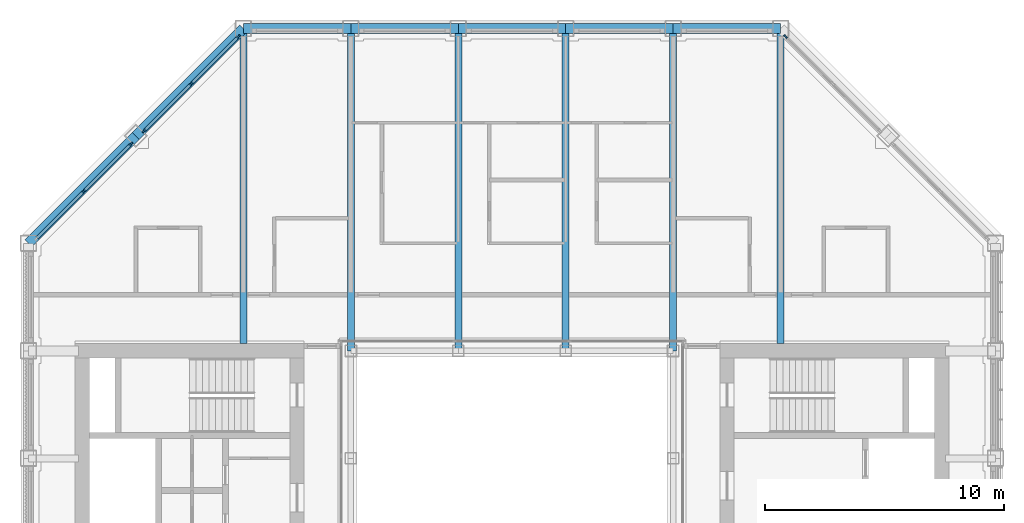
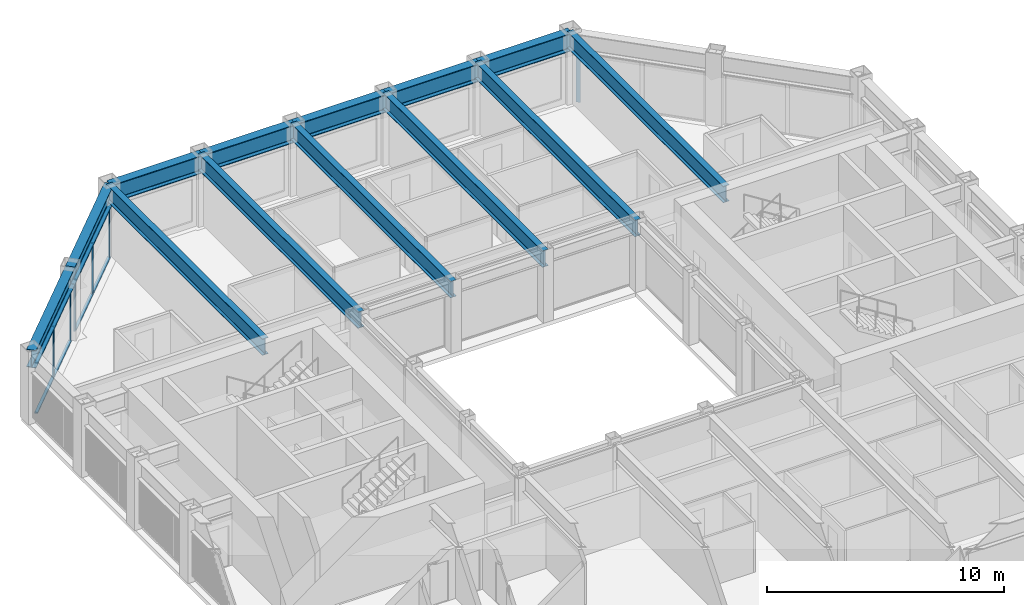
# One storey, part 6 of 17: 14 members, 13 beams, 3 elements without a shape of their own.
"""IFC4 building model written with IfcOpenShell, lengths in metres."""

from ifc_helpers import new_model, si_unit, direction, frame, origin, origin_2d, place, context, subcontext, project, spatial, rectangle, i_section, extrude, material, material_profile, profile_set, type_object, element, aggregate, save


model = new_model("IFC4")

# Units and contexts
model_context = context("Model", 3, precision=1e-05, world=origin(), true_north=direction((0.0, 1.0)))
body_context = subcontext(model_context, "Body", "Model", "MODEL_VIEW")
ifc_project = project(units=[si_unit("LENGTHUNIT", "METRE"), si_unit("AREAUNIT", "SQUARE_METRE"), si_unit("VOLUMEUNIT", "CUBIC_METRE"), si_unit("PLANEANGLEUNIT", "RADIAN"), si_unit("MASSUNIT", "GRAM", prefix="KILO")], contexts=[model_context])

# Site, building, storey
site_placement = place(None, origin())
site = spatial("IfcSite", under=ifc_project, at=site_placement, CompositionType="ELEMENT")
building_placement = place(site_placement, origin())
building = spatial("IfcBuilding", under=site, at=building_placement, Name="Msasa Ring Tower", CompositionType="ELEMENT")
storey_placement = place(building_placement, frame((0.0, 0.0, 242.050048828125)))
storey = spatial("IfcBuildingStorey", under=building, at=storey_placement, Name="L63", CompositionType="ELEMENT", Elevation=242.050048828125)

# Curtain wall, member
ifc_material_1 = material(Name="Aluminium curtain wall with clear glass", Category="aluminium")
curtain_wall_type = type_object("IfcCurtainWallType", Name="CW-C CHAMFER CORNER CURTAIN WALL", PredefinedType="NOTDEFINED", material=ifc_material_1)
curtain_wall_1_placement = place(storey_placement, origin())
curtain_wall_1 = element("IfcCurtainWall", 1, at=curtain_wall_1_placement, inside=storey, type_object=curtain_wall_type, Name="Chamfer corner curtain wall NE L63", PredefinedType="NOTDEFINED")
ifc_material_2 = material(Name="Aluminium mullion", Category="aluminium")
ifc_material_profile_1 = material_profile(ifc_material_2, rectangle(XDim=0.06494140625, YDim=0.179931640625, at=origin_2d()), Name="AL 65x180")
ifc_profile_set_1 = profile_set([ifc_material_profile_1], Name="Aluminium mullion")
member_type_1 = type_object("IfcMemberType", Name="CW-C MULLION 65x180", PredefinedType="MULLION", material=ifc_profile_set_1)
member_1_placement = place(storey_placement, frame((11.453369140625, 19.9052734375, 0.0), z_axis=(0.0, 0.0, 1.0), x_axis=(-0.707106781187, -0.707106781187, 0.0)))
member_1 = element("IfcMember", 2, at=member_1_placement, type_object=member_type_1, Name="CW-C mullion 3", PredefinedType="MULLION", context=body_context, shape_type="SweptSolid", body=[
    extrude(rectangle(XDim=0.06494140625, YDim=0.179931640625, at=origin_2d()), origin(), (0.0, 0.0, 1.0), 2.62890625),
])
aggregate(curtain_wall_1, [member_1])

# Curtain wall, members
curtain_wall_2_placement = place(storey_placement, origin())
curtain_wall_2 = element("IfcCurtainWall", 3, at=curtain_wall_2_placement, inside=storey, type_object=curtain_wall_type, Name="Chamfer corner curtain wall NW L63", PredefinedType="NOTDEFINED")
member_2_placement = place(storey_placement, frame((-15.953369140625, 15.4052734375, 0.0), z_axis=(0.0, 0.0, 1.0), x_axis=(0.707106781187, -0.707106781187, 0.0)))
member_2 = element("IfcMember", 4, at=member_2_placement, type_object=member_type_1, Name="CW-C mullion 1", PredefinedType="MULLION", context=body_context, shape_type="SweptSolid", body=[
    extrude(rectangle(XDim=0.06494140625, YDim=0.179931640625, at=origin_2d()), origin(), (0.0, 0.0, 1.0), 2.62890625),
])
member_3_placement = place(storey_placement, frame((-17.92919921875, 13.42919921875, 0.0), z_axis=(0.0, 0.0, 1.0), x_axis=(0.707106781187, -0.707106781187, 0.0)))
member_3 = element("IfcMember", 5, at=member_3_placement, type_object=member_type_1, Name="CW-C mullion 2", PredefinedType="MULLION", context=body_context, shape_type="SweptSolid", body=[
    extrude(rectangle(XDim=0.06494140625, YDim=0.179931640625, at=origin_2d()), origin(), (0.0, 0.0, 1.0), 2.62890625),
])

curtain_wall_3_placement = place(storey_placement, origin())
curtain_wall_3 = element("IfcCurtainWall", 6, at=curtain_wall_3_placement, inside=storey, type_object=curtain_wall_type, Name="Chamfer corner curtain wall NW L63", PredefinedType="NOTDEFINED")
member_4_placement = place(storey_placement, frame((-11.453369140625, 19.9052734375, 0.0), z_axis=(0.0, 0.0, 1.0), x_axis=(0.707106781187, -0.707106781187, 0.0)))
member_4 = element("IfcMember", 7, at=member_4_placement, type_object=member_type_1, Name="CW-C mullion 1", PredefinedType="MULLION", context=body_context, shape_type="SweptSolid", body=[
    extrude(rectangle(XDim=0.06494140625, YDim=0.179931640625, at=origin_2d()), origin(), (0.0, 0.0, 1.0), 2.62890625),
])
member_5_placement = place(storey_placement, frame((-13.42919921875, 17.92919921875, 0.0), z_axis=(0.0, 0.0, 1.0), x_axis=(0.707106781187, -0.707106781187, 0.0)))
member_5 = element("IfcMember", 8, at=member_5_placement, type_object=member_type_1, Name="CW-C mullion 2", PredefinedType="MULLION", context=body_context, shape_type="SweptSolid", body=[
    extrude(rectangle(XDim=0.06494140625, YDim=0.179931640625, at=origin_2d()), origin(), (0.0, 0.0, 1.0), 2.62890625),
])
member_6_placement = place(storey_placement, frame((-15.4052734375, 15.953369140625, 0.0), z_axis=(0.0, 0.0, 1.0), x_axis=(0.707106781187, -0.707106781187, 0.0)))
member_6 = element("IfcMember", 9, at=member_6_placement, type_object=member_type_1, Name="CW-C mullion 3", PredefinedType="MULLION", context=body_context, shape_type="SweptSolid", body=[
    extrude(rectangle(XDim=0.06494140625, YDim=0.179931640625, at=origin_2d()), origin(), (0.0, 0.0, 1.0), 2.62890625),
])

# Member
ifc_material_3 = material(Name="Aluminium transom", Category="aluminium")
ifc_material_profile_2 = material_profile(ifc_material_3, rectangle(XDim=0.139892578125, YDim=0.06494140625, at=origin_2d()), Name="AL 65x140")
ifc_profile_set_2 = profile_set([ifc_material_profile_2], Name="Aluminium transom")
member_type_2 = type_object("IfcMemberType", Name="CW-C TRANSOM 65x140", PredefinedType="USERDEFINED", material=ifc_profile_set_2)
member_7_placement = place(storey_placement, frame((-15.976318359375, 15.38232421875, 0.032470703125), z_axis=(-0.707106781187, -0.707106781187, 0.0), x_axis=(0.707106781187, -0.707106781187, 0.0)))
member_7 = element("IfcMember", 10, at=member_7_placement, type_object=member_type_2, Name="CW-C transom 1.1", ObjectType="TRANSOM", PredefinedType="USERDEFINED", context=body_context, shape_type="SweptSolid", body=[
    extrude(rectangle(XDim=0.139892578125, YDim=0.06494140625, at=origin_2d()), origin(), (0.0, 0.0, 1.0), 2.729248046875),
])

member_8_placement = place(storey_placement, frame((-15.976318359375, 15.38232421875, 2.596435546875), z_axis=(-0.707106781187, -0.707106781187, 0.0), x_axis=(0.707106781187, -0.707106781187, 0.0)))
member_8 = element("IfcMember", 11, at=member_8_placement, type_object=member_type_2, Name="CW-C transom 1.2", ObjectType="TRANSOM", PredefinedType="USERDEFINED", context=body_context, shape_type="SweptSolid", body=[
    extrude(rectangle(XDim=0.139892578125, YDim=0.06494140625, at=origin_2d()), origin(), (0.0, 0.0, 1.0), 2.729248046875),
])

member_9_placement = place(storey_placement, frame((-17.952392578125, 13.40625, 0.032470703125), z_axis=(-0.707106781187, -0.707106781187, 0.0), x_axis=(0.707106781187, -0.707106781187, 0.0)))
member_9 = element("IfcMember", 12, at=member_9_placement, type_object=member_type_2, Name="CW-C transom 2.1", ObjectType="TRANSOM", PredefinedType="USERDEFINED", context=body_context, shape_type="SweptSolid", body=[
    extrude(rectangle(XDim=0.139892578125, YDim=0.06494140625, at=origin_2d()), origin(), (0.0, 0.0, 1.0), 2.729248046875),
])

member_10_placement = place(storey_placement, frame((-17.952392578125, 13.40625, 2.596435546875), z_axis=(-0.707106781187, -0.707106781187, 0.0), x_axis=(0.707106781187, -0.707106781187, 0.0)))
member_10 = element("IfcMember", 13, at=member_10_placement, type_object=member_type_2, Name="CW-C transom 2.2", ObjectType="TRANSOM", PredefinedType="USERDEFINED", context=body_context, shape_type="SweptSolid", body=[
    extrude(rectangle(XDim=0.139892578125, YDim=0.06494140625, at=origin_2d()), origin(), (0.0, 0.0, 1.0), 2.729248046875),
])

aggregate(curtain_wall_2, [member_2, member_3, member_7, member_8, member_9, member_10])

member_11_placement = place(storey_placement, frame((-11.476318359375, 19.88232421875, 0.032470703125), z_axis=(-0.707106781187, -0.707106781187, 0.0), x_axis=(0.707106781187, -0.707106781187, 0.0)))
member_11 = element("IfcMember", 14, at=member_11_placement, type_object=member_type_2, Name="CW-C transom 1.1", ObjectType="TRANSOM", PredefinedType="USERDEFINED", context=body_context, shape_type="SweptSolid", body=[
    extrude(rectangle(XDim=0.139892578125, YDim=0.06494140625, at=origin_2d()), origin(), (0.0, 0.0, 1.0), 2.729248046875),
])

member_12_placement = place(storey_placement, frame((-11.476318359375, 19.88232421875, 2.596435546875), z_axis=(-0.707106781187, -0.707106781187, 0.0), x_axis=(0.707106781187, -0.707106781187, 0.0)))
member_12 = element("IfcMember", 15, at=member_12_placement, type_object=member_type_2, Name="CW-C transom 1.2", ObjectType="TRANSOM", PredefinedType="USERDEFINED", context=body_context, shape_type="SweptSolid", body=[
    extrude(rectangle(XDim=0.139892578125, YDim=0.06494140625, at=origin_2d()), origin(), (0.0, 0.0, 1.0), 2.729248046875),
])

member_13_placement = place(storey_placement, frame((-13.452392578125, 17.90625, 0.032470703125), z_axis=(-0.707106781187, -0.707106781187, 0.0), x_axis=(0.707106781187, -0.707106781187, 0.0)))
member_13 = element("IfcMember", 16, at=member_13_placement, type_object=member_type_2, Name="CW-C transom 2.1", ObjectType="TRANSOM", PredefinedType="USERDEFINED", context=body_context, shape_type="SweptSolid", body=[
    extrude(rectangle(XDim=0.139892578125, YDim=0.06494140625, at=origin_2d()), origin(), (0.0, 0.0, 1.0), 2.729248046875),
])

member_14_placement = place(storey_placement, frame((-13.452392578125, 17.90625, 2.596435546875), z_axis=(-0.707106781187, -0.707106781187, 0.0), x_axis=(0.707106781187, -0.707106781187, 0.0)))
member_14 = element("IfcMember", 17, at=member_14_placement, type_object=member_type_2, Name="CW-C transom 2.2", ObjectType="TRANSOM", PredefinedType="USERDEFINED", context=body_context, shape_type="SweptSolid", body=[
    extrude(rectangle(XDim=0.139892578125, YDim=0.06494140625, at=origin_2d()), origin(), (0.0, 0.0, 1.0), 2.729248046875),
])

aggregate(curtain_wall_3, [member_4, member_5, member_6, member_11, member_12, member_13, member_14])

# Beams
ifc_material_4 = material(Name="Steel S355", Category="steel")
ifc_material_profile_3 = material_profile(ifc_material_4, i_section(OverallWidth=0.293701171875, OverallDepth=0.850830078125, WebThickness=0.01611328125, FlangeThickness=0.02685546875, FilletRadius=0.017822265625, at=origin_2d()), Name="UB 838x292x226")
ifc_profile_set_3 = profile_set([ifc_material_profile_3], Name="Steel S355")
beam_type_1 = type_object("IfcBeamType", Name="FB5 UB 838x292x226", PredefinedType="BEAM", material=ifc_profile_set_3)
beam_1_placement = place(storey_placement, frame((-11.25, 20.25, 3.12451171875), z_axis=(0.0, -1.0, 0.0), x_axis=(1.0, 0.0, 0.0)))
element("IfcBeam", 18, at=beam_1_placement, inside=storey, type_object=beam_type_1, Name="Floor beam N-11.25 under L64", PredefinedType="BEAM", context=body_context, shape_type="SweptSolid", body=[
    extrude(i_section(OverallWidth=0.293701171875, OverallDepth=0.850830078125, WebThickness=0.01611328125, FlangeThickness=0.02685546875, FilletRadius=0.017822265625, at=origin_2d()), origin(), (0.0, 0.0, 1.0), 13.199951171875),
])
for number, where, z_axis, x_axis, name in (
    (19, (-6.75, 20.25, 3.12451171875), (0.0, -1.0, 0.0), (1.0, 0.0, 0.0), "Floor beam N-6.75 under L64"),
    (20, (-2.25, 20.25, 3.12451171875), (0.0, -1.0, 0.0), (1.0, 0.0, 0.0), "Floor beam N-2.25 under L64"),
    (21, (2.25, 20.25, 3.12451171875), (0.0, -1.0, 0.0), (1.0, 0.0, 0.0), "Floor beam N+2.25 under L64"),
    (22, (6.75, 20.25, 3.12451171875), (0.0, -1.0, 0.0), (1.0, 0.0, 0.0), "Floor beam N+6.75 under L64"),
):
    element("IfcBeam", number, at=place(storey_placement, frame(where, z_axis=z_axis, x_axis=x_axis)), inside=storey, type_object=beam_type_1, Name=name, PredefinedType="BEAM", context=body_context, shape_type="SweptSolid", body=[
        extrude(i_section(OverallWidth=0.293701171875, OverallDepth=0.850830078125, WebThickness=0.01611328125, FlangeThickness=0.02685546875, FilletRadius=0.017822265625, at=origin_2d()), origin(), (0.0, 0.0, 1.0), 13.5),
    ])
beam_2_placement = place(storey_placement, frame((11.25, 20.25, 3.12451171875), z_axis=(0.0, -1.0, 0.0), x_axis=(1.0, 0.0, 0.0)))
element("IfcBeam", 23, at=beam_2_placement, inside=storey, type_object=beam_type_1, Name="Floor beam N+11.25 under L64", PredefinedType="BEAM", context=body_context, shape_type="SweptSolid", body=[
    extrude(i_section(OverallWidth=0.293701171875, OverallDepth=0.850830078125, WebThickness=0.01611328125, FlangeThickness=0.02685546875, FilletRadius=0.017822265625, at=origin_2d()), origin(), (0.0, 0.0, 1.0), 13.199951171875),
])
ifc_material_5 = material(Name="Steel S355", Category="steel")
ifc_material_profile_4 = material_profile(ifc_material_5, i_section(OverallWidth=0.42041015625, OverallDepth=0.9208984375, WebThickness=0.021484375, FlangeThickness=0.03662109375, FilletRadius=0.024169921875, at=origin_2d()), Name="UB 914x419x388")
ifc_profile_set_4 = profile_set([ifc_material_profile_4], Name="Steel S355")
beam_type_2 = type_object("IfcBeamType", Name="SB1 UB 914x419x388", PredefinedType="SPANDREL", material=ifc_profile_set_4)
for number, where, z_axis, x_axis, name in (
    (24, (11.25, 20.25, 3.08935546875), (-1.0, 0.0, 0.0), (0.0, -1.0, 0.0), "Spandrel N+11.25 to N+6.75 under L64"),
    (25, (6.75, 20.25, 3.08935546875), (-1.0, 0.0, 0.0), (0.0, -1.0, 0.0), "Spandrel N+6.75 to N+2.25 under L64"),
    (26, (2.25, 20.25, 3.08935546875), (-1.0, 0.0, 0.0), (0.0, -1.0, 0.0), "Spandrel N+2.25 to N-2.25 under L64"),
    (27, (-2.25, 20.25, 3.08935546875), (-1.0, 0.0, 0.0), (0.0, -1.0, 0.0), "Spandrel N-2.25 to N-6.75 under L64"),
    (28, (-6.75, 20.25, 3.08935546875), (-1.0, 0.0, 0.0), (0.0, -1.0, 0.0), "Spandrel N-6.75 to N-11.25 under L64"),
):
    element("IfcBeam", number, at=place(storey_placement, frame(where, z_axis=z_axis, x_axis=x_axis)), inside=storey, type_object=beam_type_2, Name=name, PredefinedType="SPANDREL", context=body_context, shape_type="SweptSolid", body=[
        extrude(i_section(OverallWidth=0.42041015625, OverallDepth=0.9208984375, WebThickness=0.021484375, FlangeThickness=0.03662109375, FilletRadius=0.024169921875, at=origin_2d()), origin(), (0.0, 0.0, 1.0), 4.5),
    ])
for number, where, z_axis, x_axis, name in (
    (29, (-11.25, 20.25, 3.08935546875), (-0.707106781187, -0.707106781187, 0.0), (0.707106781187, -0.707106781187, 0.0), "Spandrel N-11.25 to NW under L64"),
    (30, (-15.75, 15.75, 3.08935546875), (-0.707106781187, -0.707106781187, 0.0), (0.707106781187, -0.707106781187, 0.0), "Spandrel NW to W+11.25 under L64"),
):
    element("IfcBeam", number, at=place(storey_placement, frame(where, z_axis=z_axis, x_axis=x_axis)), inside=storey, type_object=beam_type_2, Name=name, PredefinedType="SPANDREL", context=body_context, shape_type="SweptSolid", body=[
        extrude(i_section(OverallWidth=0.42041015625, OverallDepth=0.9208984375, WebThickness=0.021484375, FlangeThickness=0.03662109375, FilletRadius=0.024169921875, at=origin_2d()), origin(), (0.0, 0.0, 1.0), 6.364013671875),
    ])

save(model, "model.ifc")
